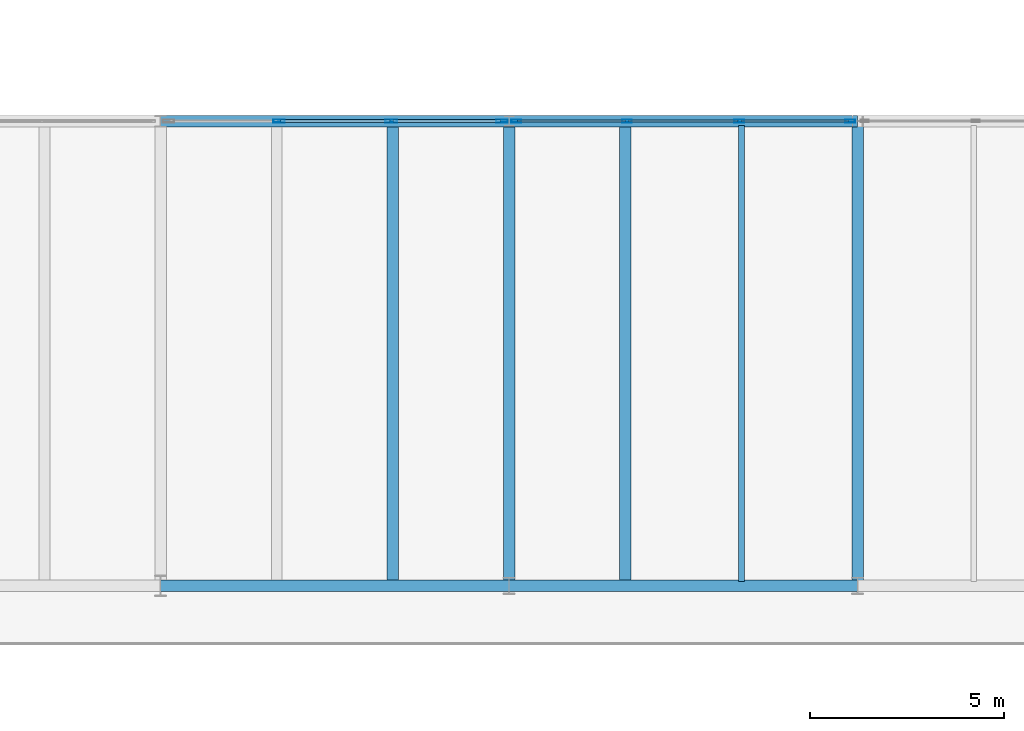
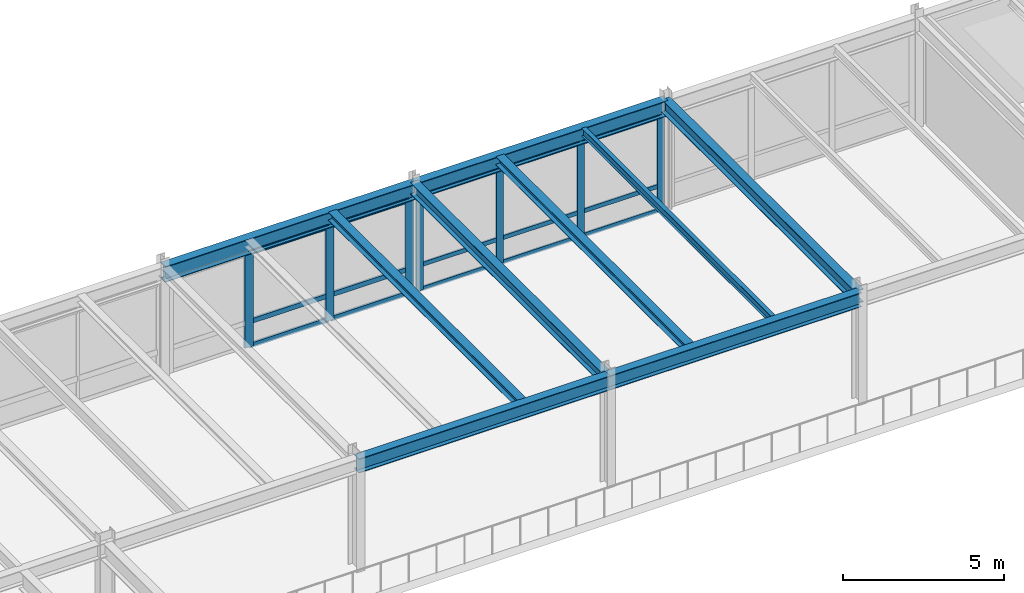
# One storey, part 62 of 127: 22 members, 9 beams, 2 elements without a shape of their own.
"""IFC4 building model written with IfcOpenShell, lengths in metres."""

from ifc_helpers import new_model, si_unit, direction, frame, origin, origin_2d, place, context, subcontext, project, spatial, hollow_rectangle, i_section, extrude, material, layer, layer_set, material_profile, profile_set, type_object, element, aggregate, save


model = new_model("IFC4")

# Units and contexts
model_context = context("Model", 3, precision=1e-05, world=origin(), true_north=direction((0.0, 1.0)))
body_context = subcontext(model_context, "Body", "Model", "MODEL_VIEW")
ifc_project = project(units=[si_unit("LENGTHUNIT", "METRE"), si_unit("AREAUNIT", "SQUARE_METRE"), si_unit("VOLUMEUNIT", "CUBIC_METRE"), si_unit("PLANEANGLEUNIT", "RADIAN"), si_unit("MASSUNIT", "GRAM", prefix="KILO")], contexts=[model_context])

# Site, building, storey
site_placement = place(None, origin())
site = spatial("IfcSite", under=ifc_project, at=site_placement, CompositionType="ELEMENT")
building_placement = place(site_placement, origin())
building = spatial("IfcBuilding", under=site, at=building_placement, Name="Montelvaro Courts of Justice", CompositionType="ELEMENT")
storey_placement = place(building_placement, frame((0.0, 0.0, 5.39990234375)))
storey = spatial("IfcBuildingStorey", under=building, at=storey_placement, Name="L01", CompositionType="ELEMENT", Elevation=5.39990234375)

# Beams
ifc_material_1 = material(Name="Steel S355", Category="steel")
ifc_material_profile_1 = material_profile(ifc_material_1, i_section(OverallWidth=0.300048828125, OverallDepth=0.31005859375, WebThickness=0.009033203125, FlangeThickness=0.015380859375, at=origin_2d()), Name="HEA 320")
ifc_profile_set_1 = profile_set([ifc_material_profile_1], Name="Steel S355")
beam_type_1 = type_object("IfcBeamType", Name="Beam_HEA320", PredefinedType="BEAM", material=ifc_profile_set_1)
for number, where, z_axis, x_axis, name in (
    (1, (51.0, 96.110107421875, 4.025146484375), (0.0, 1.0, 0.0), (-1.0, 0.0, 0.0), "Beam B-15 L01"),
    (2, (57.0, 96.110107421875, 4.025146484375), (0.0, 1.0, 0.0), (-1.0, 0.0, 0.0), "Beam B-15 L01"),
):
    element("IfcBeam", number, at=place(storey_placement, frame(where, z_axis=z_axis, x_axis=x_axis)), inside=storey, type_object=beam_type_1, Name=name, PredefinedType="BEAM", context=body_context, shape_type="SweptSolid", body=[
        extrude(i_section(OverallWidth=0.300048828125, OverallDepth=0.31005859375, WebThickness=0.009033203125, FlangeThickness=0.015380859375, at=origin_2d()), origin(), (0.0, 0.0, 1.0), 11.77978515625),
    ])
ifc_material_profile_2 = material_profile(ifc_material_1, i_section(OverallWidth=0.300048828125, OverallDepth=0.43994140625, WebThickness=0.011474609375, FlangeThickness=0.02099609375, at=origin_2d()), Name="HEA 450")
ifc_profile_set_2 = profile_set([ifc_material_profile_2], Name="Steel S355")
beam_type_2 = type_object("IfcBeamType", Name="Beam_HEA450", PredefinedType="USERDEFINED", material=ifc_profile_set_2)
beam_1_placement = place(storey_placement, frame((54.0, 96.0, 3.960205078125), z_axis=(0.0, 1.0, 0.0), x_axis=(-1.0, 0.0, 0.0)))
element("IfcBeam", 3, at=beam_1_placement, inside=storey, type_object=beam_type_2, Name="Beam B-18 L01", ObjectType="GIRDER", PredefinedType="USERDEFINED", context=body_context, shape_type="SweptSolid", body=[
    extrude(i_section(OverallWidth=0.300048828125, OverallDepth=0.43994140625, WebThickness=0.011474609375, FlangeThickness=0.02099609375, at=origin_2d()), origin(), (0.0, 0.0, 1.0), 12.0),
])
ifc_material_profile_3 = material_profile(ifc_material_1, i_section(OverallWidth=0.300048828125, OverallDepth=0.489990234375, WebThickness=0.011962890625, FlangeThickness=0.02294921875, at=origin_2d()), Name="HEA 500")
ifc_profile_set_3 = profile_set([ifc_material_profile_3], Name="Steel S355")
beam_type_3 = type_object("IfcBeamType", Name="Beam_HEA500", PredefinedType="USERDEFINED", material=ifc_profile_set_3)
beam_2_placement = place(storey_placement, frame((63.0, 96.0, 3.93505859375), z_axis=(0.0, 1.0, 0.0), x_axis=(-1.0, 0.0, 0.0)))
element("IfcBeam", 4, at=beam_2_placement, inside=storey, type_object=beam_type_3, Name="Beam B-19 L01", ObjectType="GIRDER", PredefinedType="USERDEFINED", context=body_context, shape_type="SweptSolid", body=[
    extrude(i_section(OverallWidth=0.300048828125, OverallDepth=0.489990234375, WebThickness=0.011962890625, FlangeThickness=0.02294921875, at=origin_2d()), origin(), (0.0, 0.0, 1.0), 12.0),
])
ifc_material_profile_4 = material_profile(ifc_material_1, i_section(OverallWidth=0.300048828125, OverallDepth=0.5400390625, WebThickness=0.012451171875, FlangeThickness=0.02392578125, at=origin_2d()), Name="HEA 550")
ifc_profile_set_4 = profile_set([ifc_material_profile_4], Name="Steel S355")
beam_type_4 = type_object("IfcBeamType", Name="Beam_HEA550", PredefinedType="USERDEFINED", material=ifc_profile_set_4)
for number, where, z_axis, x_axis, name in (
    (5, (45.0, 96.0, 3.91015625), (1.0, 0.0, 0.0), (0.0, 1.0, 0.0), "Beam B-20 L01"),
    (6, (54.0, 96.0, 3.91015625), (1.0, 0.0, 0.0), (0.0, 1.0, 0.0), "Beam B-20 L01"),
):
    element("IfcBeam", number, at=place(storey_placement, frame(where, z_axis=z_axis, x_axis=x_axis)), inside=storey, type_object=beam_type_4, Name=name, ObjectType="GIRDER", PredefinedType="USERDEFINED", context=body_context, shape_type="SweptSolid", body=[
        extrude(i_section(OverallWidth=0.300048828125, OverallDepth=0.5400390625, WebThickness=0.012451171875, FlangeThickness=0.02392578125, at=origin_2d()), origin(), (0.0, 0.0, 1.0), 9.0),
    ])
ifc_material_profile_5 = material_profile(ifc_material_1, i_section(OverallWidth=0.300048828125, OverallDepth=0.590087890625, WebThickness=0.012939453125, FlangeThickness=0.02490234375, at=origin_2d()), Name="HEA 600")
ifc_profile_set_5 = profile_set([ifc_material_profile_5], Name="Steel S355")
beam_type_5 = type_object("IfcBeamType", Name="Beam_HEA600", PredefinedType="USERDEFINED", material=ifc_profile_set_5)
for number, where, z_axis, x_axis, name in (
    (7, (45.0, 108.0, 3.885009765625), (1.0, 0.0, 0.0), (0.0, 1.0, 0.0), "Beam B-21 L01"),
    (8, (54.0, 108.0, 3.885009765625), (1.0, 0.0, 0.0), (0.0, 1.0, 0.0), "Beam B-21 L01"),
):
    element("IfcBeam", number, at=place(storey_placement, frame(where, z_axis=z_axis, x_axis=x_axis)), inside=storey, type_object=beam_type_5, Name=name, ObjectType="GIRDER", PredefinedType="USERDEFINED", context=body_context, shape_type="SweptSolid", body=[
        extrude(i_section(OverallWidth=0.300048828125, OverallDepth=0.590087890625, WebThickness=0.012939453125, FlangeThickness=0.02490234375, at=origin_2d()), origin(), (0.0, 0.0, 1.0), 9.0),
    ])
ifc_material_profile_6 = material_profile(ifc_material_1, i_section(OverallWidth=0.14990234375, OverallDepth=0.300048828125, WebThickness=0.007080078125, FlangeThickness=0.0107421875, at=origin_2d()), Name="IPE 300")
ifc_profile_set_6 = profile_set([ifc_material_profile_6], Name="Steel S355")
beam_type_6 = type_object("IfcBeamType", Name="Beam_IPE300", PredefinedType="BEAM", material=ifc_profile_set_6)
beam_3_placement = place(storey_placement, frame((60.0, 96.110107421875, 4.030029296875), z_axis=(0.0, 1.0, 0.0), x_axis=(-1.0, 0.0, 0.0)))
element("IfcBeam", 9, at=beam_3_placement, inside=storey, type_object=beam_type_6, Name="Beam B-05 L01", PredefinedType="BEAM", context=body_context, shape_type="SweptSolid", body=[
    extrude(i_section(OverallWidth=0.14990234375, OverallDepth=0.300048828125, WebThickness=0.007080078125, FlangeThickness=0.0107421875, at=origin_2d()), origin(), (0.0, 0.0, 1.0), 11.77978515625),
])

# Curtain wall, members
ifc_material_2 = material(Name="Anodised aluminium EN AW-6063", Category="aluminium")
ifc_layer = layer(ifc_material_2, 0.159912109375)
ifc_layer_set = layer_set([ifc_layer], Name="Anodised aluminium EN AW-6063")
curtain_wall_type = type_object("IfcCurtainWallType", Name="CurtainWall_18_868x418", PredefinedType="USERDEFINED", material=ifc_layer_set)
curtain_wall_1_placement = place(storey_placement, origin())
curtain_wall_1 = element("IfcCurtainWall", 10, at=curtain_wall_1_placement, inside=storey, type_object=curtain_wall_type, Name="Curtain Wall CW-18 (L01)", ObjectType="CURTAIN WALL", PredefinedType="USERDEFINED")
ifc_material_profile_7 = material_profile(ifc_material_2, hollow_rectangle(XDim=0.074951171875, YDim=0.25, WallThickness=0.005615234375, at=origin_2d()), Name="ALU-M 75x250")
ifc_profile_set_7 = profile_set([ifc_material_profile_7], Name="Anodised aluminium EN AW-6063")
member_type_1 = type_object("IfcMemberType", Name="CurtainWall_Mullion_75x250", PredefinedType="MULLION", material=ifc_profile_set_7)
member_1_placement = place(storey_placement, frame((62.8076171875, 108.0, 0.0), z_axis=(0.0, 0.0, 1.0), x_axis=(0.0, -1.0, 0.0)))
member_1 = element("IfcMember", 11, at=member_1_placement, type_object=member_type_1, Name="CW-18 mullion 1", PredefinedType="MULLION", context=body_context, shape_type="SweptSolid", body=[
    extrude(hollow_rectangle(XDim=0.074951171875, YDim=0.25, WallThickness=0.005615234375, at=origin_2d()), origin(), (0.0, 0.0, 1.0), 3.585205078125),
])
member_2_placement = place(storey_placement, frame((59.945068359375, 108.0, 0.0), z_axis=(0.0, 0.0, 1.0), x_axis=(0.0, -1.0, 0.0)))
member_2 = element("IfcMember", 12, at=member_2_placement, type_object=member_type_1, Name="CW-18 mullion 2", PredefinedType="MULLION", context=body_context, shape_type="SweptSolid", body=[
    extrude(hollow_rectangle(XDim=0.074951171875, YDim=0.25, WallThickness=0.005615234375, at=origin_2d()), origin(), (0.0, 0.0, 1.0), 3.585205078125),
])
member_3_placement = place(storey_placement, frame((57.044921875, 108.0, 0.0), z_axis=(0.0, 0.0, 1.0), x_axis=(0.0, -1.0, 0.0)))
member_3 = element("IfcMember", 13, at=member_3_placement, type_object=member_type_1, Name="CW-18 mullion 3", PredefinedType="MULLION", context=body_context, shape_type="SweptSolid", body=[
    extrude(hollow_rectangle(XDim=0.074951171875, YDim=0.25, WallThickness=0.005615234375, at=origin_2d()), origin(), (0.0, 0.0, 1.0), 3.585205078125),
])
member_4_placement = place(storey_placement, frame((54.1826171875, 108.0, 0.0), z_axis=(0.0, 0.0, 1.0), x_axis=(0.0, -1.0, 0.0)))
member_4 = element("IfcMember", 14, at=member_4_placement, type_object=member_type_1, Name="CW-18 mullion 4", PredefinedType="MULLION", context=body_context, shape_type="SweptSolid", body=[
    extrude(hollow_rectangle(XDim=0.074951171875, YDim=0.25, WallThickness=0.005615234375, at=origin_2d()), origin(), (0.0, 0.0, 1.0), 3.585205078125),
])

curtain_wall_2_placement = place(storey_placement, origin())
curtain_wall_2 = element("IfcCurtainWall", 15, at=curtain_wall_2_placement, inside=storey, type_object=curtain_wall_type, Name="Curtain Wall CW-18 (L01)", ObjectType="CURTAIN WALL", PredefinedType="USERDEFINED")
ifc_material_profile_8 = material_profile(ifc_material_2, hollow_rectangle(XDim=0.074951171875, YDim=0.300048828125, WallThickness=0.006103515625, at=origin_2d()), Name="ALU-M 75x300")
ifc_profile_set_8 = profile_set([ifc_material_profile_8], Name="Anodised aluminium EN AW-6063")
member_type_2 = type_object("IfcMemberType", Name="CurtainWall_Mullion_75x300", PredefinedType="MULLION", material=ifc_profile_set_8)
member_5_placement = place(storey_placement, frame((53.8173828125, 108.0, 0.0), z_axis=(0.0, 0.0, 1.0), x_axis=(0.0, -1.0, 0.0)))
member_5 = element("IfcMember", 16, at=member_5_placement, type_object=member_type_2, Name="CW-18 mullion 1", PredefinedType="MULLION", context=body_context, shape_type="SweptSolid", body=[
    extrude(hollow_rectangle(XDim=0.074951171875, YDim=0.300048828125, WallThickness=0.006103515625, at=origin_2d()), origin(), (0.0, 0.0, 1.0), 3.585205078125),
])
member_6_placement = place(storey_placement, frame((50.958251953125, 108.0, 0.0), z_axis=(0.0, 0.0, 1.0), x_axis=(0.0, -1.0, 0.0)))
member_6 = element("IfcMember", 17, at=member_6_placement, type_object=member_type_2, Name="CW-18 mullion 2", PredefinedType="MULLION", context=body_context, shape_type="SweptSolid", body=[
    extrude(hollow_rectangle(XDim=0.074951171875, YDim=0.300048828125, WallThickness=0.006103515625, at=origin_2d()), origin(), (0.0, 0.0, 1.0), 3.585205078125),
])
member_7_placement = place(storey_placement, frame((48.061767578125, 108.0, 0.0), z_axis=(0.0, 0.0, 1.0), x_axis=(0.0, -1.0, 0.0)))
member_7 = element("IfcMember", 18, at=member_7_placement, type_object=member_type_2, Name="CW-18 mullion 3", PredefinedType="MULLION", context=body_context, shape_type="SweptSolid", body=[
    extrude(hollow_rectangle(XDim=0.074951171875, YDim=0.300048828125, WallThickness=0.006103515625, at=origin_2d()), origin(), (0.0, 0.0, 1.0), 3.585205078125),
])

# Member
ifc_material_profile_9 = material_profile(ifc_material_2, hollow_rectangle(XDim=0.06005859375, YDim=0.159912109375, WallThickness=0.00439453125, at=origin_2d()), Name="ALU-T 60x160")
ifc_profile_set_9 = profile_set([ifc_material_profile_9], Name="Anodised aluminium EN AW-6063")
member_type_3 = type_object("IfcMemberType", Name="CurtainWall_Transom_60x160", PredefinedType="USERDEFINED", material=ifc_profile_set_9)
member_8_placement = place(storey_placement, frame((62.77001953125, 108.0, 0.030029296875), z_axis=(-1.0, 0.0, 0.0), x_axis=(0.0, -1.0, 0.0)))
member_8 = element("IfcMember", 19, at=member_8_placement, type_object=member_type_3, Name="CW-18 transom 1.1", ObjectType="TRANSOM", PredefinedType="USERDEFINED", context=body_context, shape_type="SweptSolid", body=[
    extrude(hollow_rectangle(XDim=0.06005859375, YDim=0.159912109375, WallThickness=0.00439453125, at=origin_2d()), origin(), (0.0, 0.0, 1.0), 2.78759765625),
])

member_9_placement = place(storey_placement, frame((62.77001953125, 108.0, 0.9501953125), z_axis=(-1.0, 0.0, 0.0), x_axis=(0.0, -1.0, 0.0)))
member_9 = element("IfcMember", 20, at=member_9_placement, type_object=member_type_3, Name="CW-18 transom 1.2", ObjectType="TRANSOM", PredefinedType="USERDEFINED", context=body_context, shape_type="SweptSolid", body=[
    extrude(hollow_rectangle(XDim=0.06005859375, YDim=0.159912109375, WallThickness=0.00439453125, at=origin_2d()), origin(), (0.0, 0.0, 1.0), 2.78759765625),
])

member_10_placement = place(storey_placement, frame((62.77001953125, 108.0, 3.55517578125), z_axis=(-1.0, 0.0, 0.0), x_axis=(0.0, -1.0, 0.0)))
member_10 = element("IfcMember", 21, at=member_10_placement, type_object=member_type_3, Name="CW-18 transom 1.3", ObjectType="TRANSOM", PredefinedType="USERDEFINED", context=body_context, shape_type="SweptSolid", body=[
    extrude(hollow_rectangle(XDim=0.06005859375, YDim=0.159912109375, WallThickness=0.00439453125, at=origin_2d()), origin(), (0.0, 0.0, 1.0), 2.78759765625),
])

member_11_placement = place(storey_placement, frame((59.907470703125, 108.0, 0.030029296875), z_axis=(-1.0, 0.0, 0.0), x_axis=(0.0, -1.0, 0.0)))
member_11 = element("IfcMember", 22, at=member_11_placement, type_object=member_type_3, Name="CW-18 transom 2.1", ObjectType="TRANSOM", PredefinedType="USERDEFINED", context=body_context, shape_type="SweptSolid", body=[
    extrude(hollow_rectangle(XDim=0.06005859375, YDim=0.159912109375, WallThickness=0.00439453125, at=origin_2d()), origin(), (0.0, 0.0, 1.0), 2.824951171875),
])

member_12_placement = place(storey_placement, frame((59.907470703125, 108.0, 0.9501953125), z_axis=(-1.0, 0.0, 0.0), x_axis=(0.0, -1.0, 0.0)))
member_12 = element("IfcMember", 23, at=member_12_placement, type_object=member_type_3, Name="CW-18 transom 2.2", ObjectType="TRANSOM", PredefinedType="USERDEFINED", context=body_context, shape_type="SweptSolid", body=[
    extrude(hollow_rectangle(XDim=0.06005859375, YDim=0.159912109375, WallThickness=0.00439453125, at=origin_2d()), origin(), (0.0, 0.0, 1.0), 2.824951171875),
])

member_13_placement = place(storey_placement, frame((59.907470703125, 108.0, 3.55517578125), z_axis=(-1.0, 0.0, 0.0), x_axis=(0.0, -1.0, 0.0)))
member_13 = element("IfcMember", 24, at=member_13_placement, type_object=member_type_3, Name="CW-18 transom 2.3", ObjectType="TRANSOM", PredefinedType="USERDEFINED", context=body_context, shape_type="SweptSolid", body=[
    extrude(hollow_rectangle(XDim=0.06005859375, YDim=0.159912109375, WallThickness=0.00439453125, at=origin_2d()), origin(), (0.0, 0.0, 1.0), 2.824951171875),
])

member_14_placement = place(storey_placement, frame((57.007568359375, 108.0, 0.030029296875), z_axis=(-1.0, 0.0, 0.0), x_axis=(0.0, -1.0, 0.0)))
member_14 = element("IfcMember", 25, at=member_14_placement, type_object=member_type_3, Name="CW-18 transom 3.1", ObjectType="TRANSOM", PredefinedType="USERDEFINED", context=body_context, shape_type="SweptSolid", body=[
    extrude(hollow_rectangle(XDim=0.06005859375, YDim=0.159912109375, WallThickness=0.00439453125, at=origin_2d()), origin(), (0.0, 0.0, 1.0), 2.78759765625),
])

member_15_placement = place(storey_placement, frame((57.007568359375, 108.0, 0.9501953125), z_axis=(-1.0, 0.0, 0.0), x_axis=(0.0, -1.0, 0.0)))
member_15 = element("IfcMember", 26, at=member_15_placement, type_object=member_type_3, Name="CW-18 transom 3.2", ObjectType="TRANSOM", PredefinedType="USERDEFINED", context=body_context, shape_type="SweptSolid", body=[
    extrude(hollow_rectangle(XDim=0.06005859375, YDim=0.159912109375, WallThickness=0.00439453125, at=origin_2d()), origin(), (0.0, 0.0, 1.0), 2.78759765625),
])

member_16_placement = place(storey_placement, frame((57.007568359375, 108.0, 3.55517578125), z_axis=(-1.0, 0.0, 0.0), x_axis=(0.0, -1.0, 0.0)))
member_16 = element("IfcMember", 27, at=member_16_placement, type_object=member_type_3, Name="CW-18 transom 3.3", ObjectType="TRANSOM", PredefinedType="USERDEFINED", context=body_context, shape_type="SweptSolid", body=[
    extrude(hollow_rectangle(XDim=0.06005859375, YDim=0.159912109375, WallThickness=0.00439453125, at=origin_2d()), origin(), (0.0, 0.0, 1.0), 2.78759765625),
])

aggregate(curtain_wall_1, [member_1, member_2, member_3, member_4, member_8, member_9, member_10, member_11, member_12, member_13, member_14, member_15, member_16])

ifc_material_profile_10 = material_profile(ifc_material_2, hollow_rectangle(XDim=0.074951171875, YDim=0.179931640625, WallThickness=0.0048828125, at=origin_2d()), Name="ALU-T 75x180")
ifc_profile_set_10 = profile_set([ifc_material_profile_10], Name="Anodised aluminium EN AW-6063")
member_type_4 = type_object("IfcMemberType", Name="CurtainWall_Transom_75x180", PredefinedType="USERDEFINED", material=ifc_profile_set_10)
member_17_placement = place(storey_placement, frame((53.780029296875, 108.0, 0.03759765625), z_axis=(-1.0, 0.0, 0.0), x_axis=(0.0, -1.0, 0.0)))
member_17 = element("IfcMember", 28, at=member_17_placement, type_object=member_type_4, Name="CW-18 transom 1.1", ObjectType="TRANSOM", PredefinedType="USERDEFINED", context=body_context, shape_type="SweptSolid", body=[
    extrude(hollow_rectangle(XDim=0.074951171875, YDim=0.179931640625, WallThickness=0.0048828125, at=origin_2d()), origin(), (0.0, 0.0, 1.0), 2.7841796875),
])

member_18_placement = place(storey_placement, frame((53.780029296875, 108.0, 0.9501953125), z_axis=(-1.0, 0.0, 0.0), x_axis=(0.0, -1.0, 0.0)))
member_18 = element("IfcMember", 29, at=member_18_placement, type_object=member_type_4, Name="CW-18 transom 1.2", ObjectType="TRANSOM", PredefinedType="USERDEFINED", context=body_context, shape_type="SweptSolid", body=[
    extrude(hollow_rectangle(XDim=0.074951171875, YDim=0.179931640625, WallThickness=0.0048828125, at=origin_2d()), origin(), (0.0, 0.0, 1.0), 2.7841796875),
])

member_19_placement = place(storey_placement, frame((53.780029296875, 108.0, 3.547607421875), z_axis=(-1.0, 0.0, 0.0), x_axis=(0.0, -1.0, 0.0)))
member_19 = element("IfcMember", 30, at=member_19_placement, type_object=member_type_4, Name="CW-18 transom 1.3", ObjectType="TRANSOM", PredefinedType="USERDEFINED", context=body_context, shape_type="SweptSolid", body=[
    extrude(hollow_rectangle(XDim=0.074951171875, YDim=0.179931640625, WallThickness=0.0048828125, at=origin_2d()), origin(), (0.0, 0.0, 1.0), 2.7841796875),
])

member_20_placement = place(storey_placement, frame((50.9208984375, 108.0, 0.03759765625), z_axis=(-1.0, 0.0, 0.0), x_axis=(0.0, -1.0, 0.0)))
member_20 = element("IfcMember", 31, at=member_20_placement, type_object=member_type_4, Name="CW-18 transom 2.1", ObjectType="TRANSOM", PredefinedType="USERDEFINED", context=body_context, shape_type="SweptSolid", body=[
    extrude(hollow_rectangle(XDim=0.074951171875, YDim=0.179931640625, WallThickness=0.0048828125, at=origin_2d()), origin(), (0.0, 0.0, 1.0), 2.82177734375),
])

member_21_placement = place(storey_placement, frame((50.9208984375, 108.0, 0.9501953125), z_axis=(-1.0, 0.0, 0.0), x_axis=(0.0, -1.0, 0.0)))
member_21 = element("IfcMember", 32, at=member_21_placement, type_object=member_type_4, Name="CW-18 transom 2.2", ObjectType="TRANSOM", PredefinedType="USERDEFINED", context=body_context, shape_type="SweptSolid", body=[
    extrude(hollow_rectangle(XDim=0.074951171875, YDim=0.179931640625, WallThickness=0.0048828125, at=origin_2d()), origin(), (0.0, 0.0, 1.0), 2.82177734375),
])

member_22_placement = place(storey_placement, frame((50.9208984375, 108.0, 3.547607421875), z_axis=(-1.0, 0.0, 0.0), x_axis=(0.0, -1.0, 0.0)))
member_22 = element("IfcMember", 33, at=member_22_placement, type_object=member_type_4, Name="CW-18 transom 2.3", ObjectType="TRANSOM", PredefinedType="USERDEFINED", context=body_context, shape_type="SweptSolid", body=[
    extrude(hollow_rectangle(XDim=0.074951171875, YDim=0.179931640625, WallThickness=0.0048828125, at=origin_2d()), origin(), (0.0, 0.0, 1.0), 2.82177734375),
])

aggregate(curtain_wall_2, [member_5, member_6, member_7, member_17, member_18, member_19, member_20, member_21, member_22])

save(model, "model.ifc")
